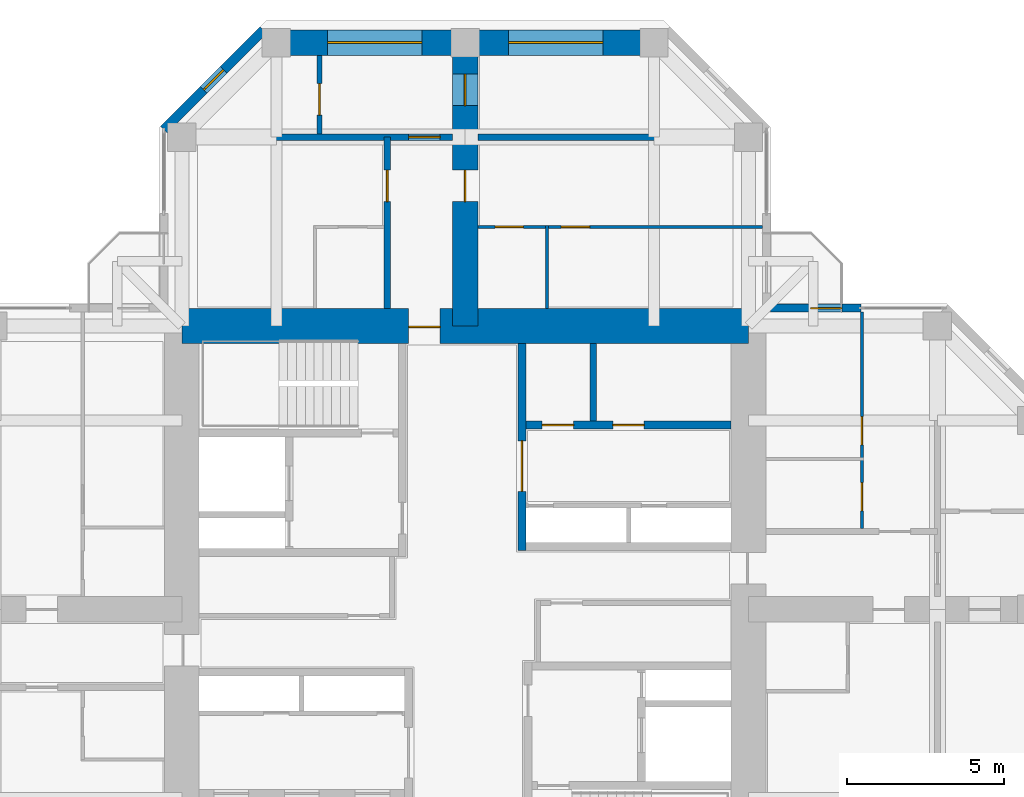
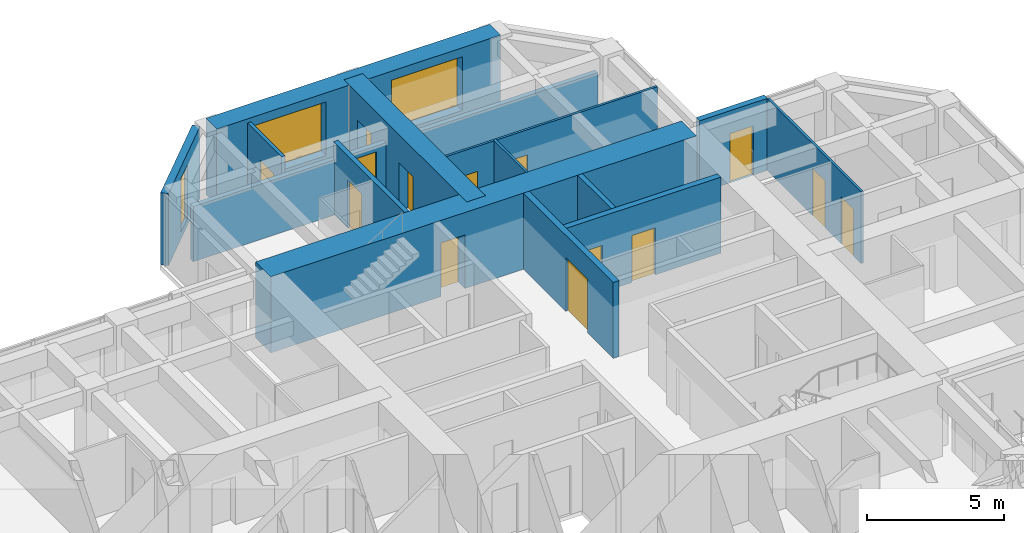
# One storey, part 12 of 14: 15 walls, 14 doors, 3 windows, 17 openings.
"""IFC4 building model written with IfcOpenShell, lengths in metres."""

from ifc_helpers import new_model, si_unit, direction, frame, frame_2d, origin, place, context, subcontext, project, spatial, rectangle, hollow_rectangle, extrude, material, layer, layer_set, constituent, constituent_set, type_object, element, fill, save


model = new_model("IFC4")

# Units and contexts
model_context = context("Model", 3, precision=1e-05, world=origin(), true_north=direction((0.0, 1.0)))
body_context = subcontext(model_context, "Body", "Model", "MODEL_VIEW")
ifc_project = project(units=[si_unit("LENGTHUNIT", "METRE"), si_unit("AREAUNIT", "SQUARE_METRE"), si_unit("VOLUMEUNIT", "CUBIC_METRE"), si_unit("PLANEANGLEUNIT", "RADIAN"), si_unit("MASSUNIT", "GRAM", prefix="KILO")], contexts=[model_context])

# Site, building, storey
site_placement = place(None, origin())
site = spatial("IfcSite", under=ifc_project, at=site_placement, CompositionType="ELEMENT")
building_placement = place(site_placement, origin())
building = spatial("IfcBuilding", under=site, at=building_placement, Name="Torre Cruceta", CompositionType="ELEMENT")
storey_placement = place(building_placement, frame((0.0, 0.0, 200.10009765625)))
storey = spatial("IfcBuildingStorey", under=building, at=storey_placement, Name="L50", CompositionType="ELEMENT", Elevation=200.10009765625)

# Wall
ifc_material_1 = material(Name="Water-resistant plasterboard on steel studs", Category="steel")
ifc_layer_1 = layer(ifc_material_1, 0.10009765625)
ifc_layer_set_1 = layer_set([ifc_layer_1], Name="Water-resistant plasterboard on steel studs")
wall_type_1 = type_object("IfcWallType", Name="BATHROOM WALL 100", PredefinedType="PARTITIONING", material=ifc_layer_set_1)
wall_1_placement = place(storey_placement, frame((2.60009765625, 9.550048828125, 0.0), z_axis=(0.0, 0.0, 1.0), x_axis=(0.0, 1.0, 0.0)))
element("IfcWall", 1, at=wall_1_placement, inside=storey, type_object=wall_type_1, Name="PT4 L50-N-U1RBB", PredefinedType="PARTITIONING", context=body_context, shape_type="SweptSolid", body=[
    extrude(rectangle(XDim=2.64990234375, YDim=0.10009765625, at=frame_2d((1.324951171875, 0.0))), origin(), (0.0, 0.0, 1.0), 3.219970703125),
])

# Wall, openings, doors
wall_2_placement = place(storey_placement, frame((9.445068359375, 12.14990234375, 0.0), z_axis=(0.0, 0.0, 1.0), x_axis=(-1.0, 0.0, 0.0)))
wall_2 = element("IfcWall", 2, at=wall_2_placement, inside=storey, type_object=wall_type_1, Name="PT4 L50-N-U1RBS", PredefinedType="PARTITIONING", context=body_context, shape_type="SweptSolid", body=[
    extrude(rectangle(XDim=9.045166015625, YDim=0.10009765625, at=frame_2d((4.5224609375, 0.0))), origin(), (0.0, 0.0, 1.0), 3.219970703125),
])
opening_1_placement = place(wall_2_placement, frame((5.4951171875, 0.0, 0.0)))
opening_1 = element("IfcOpeningElement", 3, at=opening_1_placement, cuts=wall_2, Name="Opening D7", PredefinedType="OPENING", context=body_context, shape_type="SweptSolid", body=[
    extrude(rectangle(XDim=0.89990234375, YDim=2.10009765625, at=frame_2d((0.449951171875, 1.050048828125))), frame((0.0, 0.06005859375, 0.0), z_axis=(0.0, -1.0, 0.0), x_axis=(1.0, 0.0, 0.0)), (0.0, 0.0, 1.0), 0.1201171875),
])
opening_2_placement = place(wall_2_placement, frame((7.594970703125, 0.0, 0.0)))
opening_2 = element("IfcOpeningElement", 4, at=opening_2_placement, cuts=wall_2, Name="Opening D7", PredefinedType="OPENING", context=body_context, shape_type="SweptSolid", body=[
    extrude(rectangle(XDim=0.89990234375, YDim=2.10009765625, at=frame_2d((0.449951171875, 1.050048828125))), frame((0.0, 0.06005859375, 0.0), z_axis=(0.0, -1.0, 0.0), x_axis=(1.0, 0.0, 0.0)), (0.0, 0.0, 1.0), 0.1201171875),
])
ifc_material_2 = material(Name="Timber door", Category="wood")
door_type_1 = type_object("IfcDoorType", Name="BATHROOM DOOR 900X2100", OperationType="SINGLE_SWING_LEFT", PredefinedType="DOOR", material=ifc_material_2)
door_1_placement = place(opening_1_placement, origin())
door_1 = element("IfcDoor", 5, at=door_1_placement, inside=storey, type_object=door_type_1, Name="D7 L50-N-U1RBS-D1", OperationType="SINGLE_SWING_RIGHT", OverallHeight=2.10009765625, OverallWidth=0.89990234375, PredefinedType="DOOR", context=body_context, shape_type="SweptSolid", body=[
    extrude(rectangle(XDim=0.89990234375, YDim=2.10009765625, at=frame_2d((0.449951171875, 1.050048828125))), frame((0.0, 0.02490234375, 0.0), z_axis=(0.0, -1.0, 0.0), x_axis=(1.0, 0.0, 0.0)), (0.0, 0.0, 1.0), 0.050048828125),
])
fill(opening_1, door_1)
door_2_placement = place(opening_2_placement, origin())
door_2 = element("IfcDoor", 6, at=door_2_placement, inside=storey, type_object=door_type_1, Name="D7 L50-N-U1RBS-D2", OperationType="SINGLE_SWING_RIGHT", OverallHeight=2.10009765625, OverallWidth=0.89990234375, PredefinedType="DOOR", context=body_context, shape_type="SweptSolid", body=[
    extrude(rectangle(XDim=0.89990234375, YDim=2.10009765625, at=frame_2d((0.449951171875, 1.050048828125))), frame((0.0, 0.02490234375, 0.0), z_axis=(0.0, -1.0, 0.0), x_axis=(1.0, 0.0, 0.0)), (0.0, 0.0, 1.0), 0.050048828125),
])
fill(opening_2, door_2)

wall_3_placement = place(storey_placement, frame((12.60009765625, 2.574951171875, 0.0), z_axis=(0.0, 0.0, 1.0), x_axis=(0.0, 1.0, 0.0)))
wall_3 = element("IfcWall", 7, at=wall_3_placement, inside=storey, type_object=wall_type_1, Name="PT4 L50-E-U1LBS", PredefinedType="PARTITIONING", context=body_context, shape_type="SweptSolid", body=[
    extrude(rectangle(XDim=6.8701171875, YDim=0.10009765625, at=frame_2d((3.43505859375, 0.0))), origin(), (0.0, 0.0, 1.0), 3.219970703125),
])
opening_3_placement = place(wall_3_placement, frame((0.550048828125, 0.0, 0.0)))
opening_3 = element("IfcOpeningElement", 8, at=opening_3_placement, cuts=wall_3, Name="Opening D7", PredefinedType="OPENING", context=body_context, shape_type="SweptSolid", body=[
    extrude(rectangle(XDim=0.89990234375, YDim=2.10009765625, at=frame_2d((0.449951171875, 1.050048828125))), frame((0.0, 0.06005859375, 0.0), z_axis=(0.0, -1.0, 0.0), x_axis=(1.0, 0.0, 0.0)), (0.0, 0.0, 1.0), 0.1201171875),
])
opening_4_placement = place(wall_3_placement, frame((2.64990234375, 0.0, 0.0)))
opening_4 = element("IfcOpeningElement", 9, at=opening_4_placement, cuts=wall_3, Name="Opening D7", PredefinedType="OPENING", context=body_context, shape_type="SweptSolid", body=[
    extrude(rectangle(XDim=0.89990234375, YDim=2.10009765625, at=frame_2d((0.449951171875, 1.050048828125))), frame((0.0, 0.06005859375, 0.0), z_axis=(0.0, -1.0, 0.0), x_axis=(1.0, 0.0, 0.0)), (0.0, 0.0, 1.0), 0.1201171875),
])
door_3_placement = place(opening_3_placement, origin())
door_3 = element("IfcDoor", 10, at=door_3_placement, inside=storey, type_object=door_type_1, Name="D7 L50-E-U1LBS-D1", OperationType="SINGLE_SWING_LEFT", OverallHeight=2.10009765625, OverallWidth=0.89990234375, PredefinedType="DOOR", context=body_context, shape_type="SweptSolid", body=[
    extrude(rectangle(XDim=0.89990234375, YDim=2.10009765625, at=frame_2d((0.449951171875, 1.050048828125))), frame((0.0, 0.02490234375, 0.0), z_axis=(0.0, -1.0, 0.0), x_axis=(1.0, 0.0, 0.0)), (0.0, 0.0, 1.0), 0.050048828125),
])
fill(opening_3, door_3)
door_4_placement = place(opening_4_placement, origin())
door_4 = element("IfcDoor", 11, at=door_4_placement, inside=storey, type_object=door_type_1, Name="D7 L50-E-U1LBS-D2", OperationType="SINGLE_SWING_LEFT", OverallHeight=2.10009765625, OverallWidth=0.89990234375, PredefinedType="DOOR", context=body_context, shape_type="SweptSolid", body=[
    extrude(rectangle(XDim=0.89990234375, YDim=2.10009765625, at=frame_2d((0.449951171875, 1.050048828125))), frame((0.0, 0.02490234375, 0.0), z_axis=(0.0, -1.0, 0.0), x_axis=(1.0, 0.0, 0.0)), (0.0, 0.0, 1.0), 0.050048828125),
])
fill(opening_4, door_4)

# Wall, opening, door
ifc_material_3 = material(Name="Concrete G60 (fck 60 MPa)", Category="concrete")
ifc_layer_2 = layer(ifc_material_3, 0.25)
ifc_layer_set_2 = layer_set([ifc_layer_2], Name="Concrete G60 (fck 60 MPa)")
wall_type_2 = type_object("IfcWallType", Name="CORE INNER WALL 250 G60", PredefinedType="SHEAR", material=ifc_layer_set_2)
wall_4_placement = place(storey_placement, frame((1.800048828125, 1.875, 0.0), z_axis=(0.0, 0.0, 1.0), x_axis=(0.0, 1.0, 0.0)))
wall_4 = element("IfcWall", 12, at=wall_4_placement, inside=storey, type_object=wall_type_2, Name="CW4 L50 NE-CU", PredefinedType="SHEAR", context=body_context, shape_type="SweptSolid", body=[
    extrude(rectangle(XDim=6.574951171875, YDim=0.25, at=frame_2d((3.28759765625, 0.0))), origin(), (0.0, 0.0, 1.0), 3.39990234375),
])
opening_5_placement = place(wall_4_placement, frame((1.875, 0.0, 0.0)))
opening_5 = element("IfcOpeningElement", 13, at=opening_5_placement, cuts=wall_4, Name="Opening D15", PredefinedType="OPENING", context=body_context, shape_type="SweptSolid", body=[
    extrude(rectangle(XDim=1.60009765625, YDim=2.39990234375, at=frame_2d((0.800048828125, 1.199951171875))), frame((0.0, 0.135009765625, 0.0), z_axis=(0.0, -1.0, 0.0), x_axis=(1.0, 0.0, 0.0)), (0.0, 0.0, 1.0), 0.27001953125),
])
ifc_material_4 = material(Name="Steel DX51D", Category="steel")
ifc_constituent_1 = constituent(ifc_material_4, Name="Leaf and frame")
ifc_material_5 = material(Name="Polyester powder coating", Category="paint")
ifc_constituent_2 = constituent(ifc_material_5, Name="Finish")
ifc_constituent_set_1 = constituent_set(constituents=[ifc_constituent_1, ifc_constituent_2], Name="Steel fire door")
door_type_2 = type_object("IfcDoorType", Name="CORE ROOM DOUBLE DOOR 1600X2400", OperationType="DOUBLE_DOOR_SINGLE_SWING", PredefinedType="DOOR", material=ifc_constituent_set_1)
door_5_placement = place(opening_5_placement, frame((1.60009765625, 0.0, 0.0), z_axis=(0.0, 0.0, 1.0), x_axis=(-1.0, 0.0, 0.0)))
door_5 = element("IfcDoor", 14, at=door_5_placement, inside=storey, type_object=door_type_2, Name="D15 L50 NE-LOBBY", OperationType="DOUBLE_DOOR_SINGLE_SWING", OverallHeight=2.39990234375, OverallWidth=1.60009765625, PredefinedType="DOOR", context=body_context, shape_type="SweptSolid", body=[
    extrude(rectangle(XDim=1.60009765625, YDim=2.39990234375, at=frame_2d((0.800048828125, 1.199951171875))), frame((0.0, 0.025146484375, 0.0), z_axis=(0.0, -1.0, 0.0), x_axis=(1.0, 0.0, 0.0)), (0.0, 0.0, 1.0), 0.050048828125),
])
fill(opening_5, door_5)

# Wall, openings, doors
wall_5_placement = place(storey_placement, frame((1.925048828125, 5.85009765625, 0.0), z_axis=(0.0, 0.0, 1.0), x_axis=(1.0, 0.0, 0.0)))
wall_5 = element("IfcWall", 15, at=wall_5_placement, inside=storey, type_object=wall_type_2, Name="CW4 L50 NE-LV", PredefinedType="SHEAR", context=body_context, shape_type="SweptSolid", body=[
    extrude(rectangle(XDim=6.52490234375, YDim=0.25, at=frame_2d((3.262451171875, 0.0))), origin(), (0.0, 0.0, 1.0), 3.39990234375),
])
opening_6_placement = place(wall_5_placement, frame((0.520751953125, 0.0, 0.0)))
opening_6 = element("IfcOpeningElement", 16, at=opening_6_placement, cuts=wall_5, Name="Opening D3", PredefinedType="OPENING", context=body_context, shape_type="SweptSolid", body=[
    extrude(rectangle(XDim=1.0, YDim=2.10009765625, at=frame_2d((0.5, 1.050048828125))), frame((0.0, 0.135009765625, 0.0), z_axis=(0.0, -1.0, 0.0), x_axis=(1.0, 0.0, 0.0)), (0.0, 0.0, 1.0), 0.27001953125),
])
opening_7_placement = place(wall_5_placement, frame((2.762451171875, 0.0, 0.0)))
opening_7 = element("IfcOpeningElement", 17, at=opening_7_placement, cuts=wall_5, Name="Opening D3", PredefinedType="OPENING", context=body_context, shape_type="SweptSolid", body=[
    extrude(rectangle(XDim=1.0, YDim=2.10009765625, at=frame_2d((0.5, 1.050048828125))), frame((0.0, 0.135009765625, 0.0), z_axis=(0.0, -1.0, 0.0), x_axis=(1.0, 0.0, 0.0)), (0.0, 0.0, 1.0), 0.27001953125),
])
ifc_material_6 = material(Name="Steel DX51D", Category="steel")
ifc_constituent_3 = constituent(ifc_material_6, Name="Leaf and frame")
ifc_material_7 = material(Name="Polyester powder coating", Category="paint")
ifc_constituent_4 = constituent(ifc_material_7, Name="Finish")
ifc_constituent_set_2 = constituent_set(constituents=[ifc_constituent_3, ifc_constituent_4], Name="Steel fire door")
door_type_3 = type_object("IfcDoorType", Name="FIRE DOOR 1000X2100", OperationType="SINGLE_SWING_LEFT", PredefinedType="DOOR", material=ifc_constituent_set_2)
door_6_placement = place(opening_6_placement, origin())
door_6 = element("IfcDoor", 18, at=door_6_placement, inside=storey, type_object=door_type_3, Name="D3 L50 NE-HR1", OperationType="SINGLE_SWING_LEFT", OverallHeight=2.10009765625, OverallWidth=1.0, PredefinedType="DOOR", context=body_context, shape_type="SweptSolid", body=[
    extrude(rectangle(XDim=1.0, YDim=2.10009765625, at=frame_2d((0.5, 1.050048828125))), frame((0.0, 0.02490234375, 0.0), z_axis=(0.0, -1.0, 0.0), x_axis=(1.0, 0.0, 0.0)), (0.0, 0.0, 1.0), 0.050048828125),
])
fill(opening_6, door_6)
door_7_placement = place(opening_7_placement, origin())
door_7 = element("IfcDoor", 19, at=door_7_placement, inside=storey, type_object=door_type_3, Name="D3 L50 NE-HR2", OperationType="SINGLE_SWING_LEFT", OverallHeight=2.10009765625, OverallWidth=1.0, PredefinedType="DOOR", context=body_context, shape_type="SweptSolid", body=[
    extrude(rectangle(XDim=1.0, YDim=2.10009765625, at=frame_2d((0.5, 1.050048828125))), frame((0.0, 0.02490234375, 0.0), z_axis=(0.0, -1.0, 0.0), x_axis=(1.0, 0.0, 0.0)), (0.0, 0.0, 1.0), 0.050048828125),
])
fill(opening_7, door_7)

# Wall, opening, door
ifc_material_8 = material(Name="Concrete G60 (fck 60 MPa)", Category="concrete")
ifc_layer_3 = layer(ifc_material_8, 1.10009765625)
ifc_layer_set_3 = layer_set([ifc_layer_3], Name="Concrete G60 (fck 60 MPa)")
wall_type_3 = type_object("IfcWallType", Name="CORE WALL 1100 G60", PredefinedType="SHEAR", material=ifc_layer_set_3)
wall_6_placement = place(storey_placement, frame((9.0, 9.0, 0.0), z_axis=(0.0, 0.0, 1.0), x_axis=(-1.0, 0.0, 0.0)))
wall_6 = element("IfcWall", 20, at=wall_6_placement, inside=storey, type_object=wall_type_3, Name="CW2 L50 CW-N", PredefinedType="SHEAR", context=body_context, shape_type="SweptSolid", body=[
    extrude(rectangle(XDim=18.0, YDim=1.10009765625, at=frame_2d((9.0, 0.0))), origin(), (0.0, 0.0, 1.0), 3.39990234375),
])
opening_8_placement = place(wall_6_placement, frame((9.800048828125, 0.0, 0.0)))
opening_8 = element("IfcOpeningElement", 21, at=opening_8_placement, cuts=wall_6, Name="Opening D4", PredefinedType="OPENING", context=body_context, shape_type="SweptSolid", body=[
    extrude(rectangle(XDim=1.0, YDim=2.39990234375, at=frame_2d((0.5, 1.199951171875))), frame((0.0, 0.56005859375, 0.0), z_axis=(0.0, -1.0, 0.0), x_axis=(1.0, 0.0, 0.0)), (0.0, 0.0, 1.0), 1.1201171875),
])
ifc_material_9 = material(Name="Steel DX51D", Category="steel")
ifc_constituent_5 = constituent(ifc_material_9, Name="Leaf and frame")
ifc_material_10 = material(Name="Polyester powder coating", Category="paint")
ifc_constituent_6 = constituent(ifc_material_10, Name="Finish")
ifc_constituent_set_3 = constituent_set(constituents=[ifc_constituent_5, ifc_constituent_6], Name="Steel fire door")
door_type_4 = type_object("IfcDoorType", Name="CORE ARM DOOR 1000X2400", OperationType="SINGLE_SWING_RIGHT", PredefinedType="DOOR", material=ifc_constituent_set_3)
door_8_placement = place(opening_8_placement, origin())
door_8 = element("IfcDoor", 22, at=door_8_placement, inside=storey, type_object=door_type_4, Name="D4 L50 CW-N", OperationType="SINGLE_SWING_RIGHT", OverallHeight=2.39990234375, OverallWidth=1.0, PredefinedType="DOOR", context=body_context, shape_type="SweptSolid", body=[
    extrude(rectangle(XDim=1.0, YDim=2.39990234375, at=frame_2d((0.5, 1.199951171875))), frame((0.0, 0.05517578125, 0.0), z_axis=(0.0, -1.0, 0.0), x_axis=(1.0, 0.0, 0.0)), (0.0, 0.0, 1.0), 0.050048828125),
])
fill(opening_8, door_8)

ifc_material_11 = material(Name="Concrete G25 (fck 25 MPa)", Category="concrete")
ifc_layer_4 = layer(ifc_material_11, 0.199951171875)
ifc_layer_set_4 = layer_set([ifc_layer_4], Name="Concrete G25 (fck 25 MPa)")
wall_type_4 = type_object("IfcWallType", Name="CORRIDOR WALL 200", PredefinedType="SOLIDWALL", material=ifc_layer_set_4)
wall_7_placement = place(storey_placement, frame((-2.47509765625, 9.550048828125, 0.0), z_axis=(0.0, 0.0, 1.0), x_axis=(0.0, 1.0, 0.0)))
wall_7 = element("IfcWall", 23, at=wall_7_placement, inside=storey, type_object=wall_type_4, Name="PT3 L50-N-CL", PredefinedType="SOLIDWALL", context=body_context, shape_type="SweptSolid", body=[
    extrude(rectangle(XDim=5.449951171875, YDim=0.199951171875, at=frame_2d((2.72509765625, 0.0))), origin(), (0.0, 0.0, 1.0), 3.219970703125),
])
opening_9_placement = place(wall_7_placement, frame((3.39990234375, 0.0, 0.0)))
opening_9 = element("IfcOpeningElement", 24, at=opening_9_placement, cuts=wall_7, Name="Opening D6", PredefinedType="OPENING", context=body_context, shape_type="SweptSolid", body=[
    extrude(rectangle(XDim=1.0, YDim=2.14990234375, at=frame_2d((0.5, 1.074951171875))), frame((0.0, 0.10986328125, 0.0), z_axis=(0.0, -1.0, 0.0), x_axis=(1.0, 0.0, 0.0)), (0.0, 0.0, 1.0), 0.219970703125),
])
ifc_material_12 = material(Name="Timber fire door", Category="wood")
door_type_5 = type_object("IfcDoorType", Name="UNIT ENTRANCE DOOR 1000X2150", OperationType="SINGLE_SWING_LEFT", PredefinedType="DOOR", material=ifc_material_12)
door_9_placement = place(opening_9_placement, origin())
door_9 = element("IfcDoor", 25, at=door_9_placement, inside=storey, type_object=door_type_5, Name="D6 L50-N-CL-D1", OperationType="SINGLE_SWING_LEFT", OverallHeight=2.14990234375, OverallWidth=1.0, PredefinedType="DOOR", context=body_context, shape_type="SweptSolid", body=[
    extrude(rectangle(XDim=1.0, YDim=2.14990234375, at=frame_2d((0.5, 1.074951171875))), frame((0.0, 0.02490234375, 0.0), z_axis=(0.0, -1.0, 0.0), x_axis=(1.0, 0.0, 0.0)), (0.0, 0.0, 1.0), 0.050048828125),
])
fill(opening_9, door_9)

# Wall, opening, window
ifc_material_13 = material(Name="Concrete G30 (fck 30 MPa)", Category="concrete")
ifc_layer_5 = layer(ifc_material_13, 0.300048828125)
ifc_layer_set_5 = layer_set([ifc_layer_5], Name="Concrete G30 (fck 30 MPa)")
wall_type_5 = type_object("IfcWallType", Name="EXPOSED CONCRETE FACADE WALL 300", PredefinedType="SOLIDWALL", material=ifc_layer_set_5)
wall_8_placement = place(storey_placement, frame((-6.406005859375, 18.39990234375, 0.0), z_axis=(0.0, 0.0, 1.0), x_axis=(-0.707134062067, -0.707079499254, 0.0)))
wall_8 = element("IfcWall", 26, at=wall_8_placement, inside=storey, type_object=wall_type_5, Name="EW1 facade wall L50 N chamfer 08", PredefinedType="SOLIDWALL", context=body_context, shape_type="SweptSolid", body=[
    extrude(rectangle(XDim=4.474609375, YDim=0.300048828125, at=frame_2d((2.2373046875, 0.0))), origin(), (0.0, 0.0, 1.0), 3.219970703125),
])
opening_10_placement = place(wall_8_placement, frame((1.787109375, 0.0, 0.300048828125)))
opening_10 = element("IfcOpeningElement", 27, at=opening_10_placement, cuts=wall_8, Name="Opening WN5", PredefinedType="OPENING", context=body_context, shape_type="SweptSolid", body=[
    extrude(rectangle(XDim=0.89990234375, YDim=2.39990234375, at=frame_2d((0.449951171875, 1.199951171875))), frame((0.0, 0.159912109375, 0.0), z_axis=(0.0, -1.0, 0.0), x_axis=(1.0, 0.0, 0.0)), (0.0, 0.0, 1.0), 0.320068359375),
])
ifc_material_14 = material(Name="Aluminium window frame", Category="aluminium")
ifc_constituent_7 = constituent(ifc_material_14, Name="Frame")
ifc_material_15 = material(Name="Laminated insulating glass unit, low-iron clear", Category="glass")
ifc_constituent_8 = constituent(ifc_material_15, Name="Glazing")
ifc_constituent_set_4 = constituent_set(constituents=[ifc_constituent_7, ifc_constituent_8], Name="Aluminium window")
window_type_1 = type_object("IfcWindowType", Name="CHAMFER SLOT WINDOW 900X2400", PartitioningType="SINGLE_PANEL", PredefinedType="WINDOW", material=ifc_constituent_set_4)
window_1_placement = place(opening_10_placement, origin())
window_1 = element("IfcWindow", 28, at=window_1_placement, inside=storey, type_object=window_type_1, Name="WN5 L50 N 1", OverallHeight=2.39990234375, OverallWidth=0.89990234375, PartitioningType="SINGLE_PANEL", PredefinedType="WINDOW", context=body_context, shape_type="SweptSolid", body=[
    extrude(hollow_rectangle(XDim=0.89990234375, YDim=2.39990234375, WallThickness=0.06005859375, at=frame_2d((0.449951171875, 1.199951171875))), frame((0.0, 0.030029296875, 0.0), z_axis=(0.0, -1.0, 0.0), x_axis=(1.0, 0.0, 0.0)), (0.0, 0.0, 1.0), 0.06005859375),
    extrude(rectangle(XDim=0.77880859375, YDim=2.27880859375, at=frame_2d((0.449951171875, 1.199951171875))), frame((0.0, 0.030029296875, 0.0), z_axis=(0.0, -1.0, 0.0), x_axis=(1.0, 0.0, 0.0)), (0.0, 0.0, 1.0), 0.06005859375),
])
fill(opening_10, window_1)

# Wall
ifc_material_16 = material(Name="Concrete G35 (fck 35 MPa)", Category="concrete")
ifc_layer_6 = layer(ifc_material_16, 0.199951171875)
ifc_layer_set_6 = layer_set([ifc_layer_6], Name="Concrete G35 (fck 35 MPa)")
wall_type_6 = type_object("IfcWallType", Name="LIFT SHAFT WALL 200", PredefinedType="PARTITIONING", material=ifc_layer_set_6)
wall_9_placement = place(storey_placement, frame((4.066650390625, 5.97509765625, 0.0), z_axis=(0.0, 0.0, 1.0), x_axis=(0.0, 1.0, 0.0)))
element("IfcWall", 29, at=wall_9_placement, inside=storey, type_object=wall_type_6, Name="SW1 L50 NE-LS1", PredefinedType="PARTITIONING", context=body_context, shape_type="SweptSolid", body=[
    extrude(rectangle(XDim=2.474853515625, YDim=0.199951171875, at=frame_2d((1.2373046875, 0.0))), origin(), (0.0, 0.0, 1.0), 3.39990234375),
])

# Wall, openings, windows
ifc_material_17 = material(Name="Concrete G60 (fck 60 MPa)", Category="concrete")
ifc_layer_7 = layer(ifc_material_17, 0.800048828125)
ifc_layer_set_7 = layer_set([ifc_layer_7], Name="Concrete G60 (fck 60 MPa)")
wall_type_7 = type_object("IfcWallType", Name="NOSE WALL 800 G60", PredefinedType="SHEAR", material=ifc_layer_set_7)
wall_10_placement = place(storey_placement, frame((6.0, 18.0, 0.0), z_axis=(0.0, 0.0, 1.0), x_axis=(-1.0, 0.0, 0.0)))
wall_10 = element("IfcWall", 30, at=wall_10_placement, inside=storey, type_object=wall_type_7, Name="NW2 nose wall L50 N", PredefinedType="SHEAR", context=body_context, shape_type="SweptSolid", body=[
    extrude(rectangle(XDim=12.0, YDim=0.800048828125, at=frame_2d((6.0, 0.0))), origin(), (0.0, 0.0, 1.0), 3.39990234375),
])
opening_11_placement = place(wall_10_placement, frame((1.625, 0.0, 0.60009765625)))
opening_11 = element("IfcOpeningElement", 31, at=opening_11_placement, cuts=wall_10, Name="Opening WN6", PredefinedType="OPENING", context=body_context, shape_type="SweptSolid", body=[
    extrude(rectangle(XDim=3.0, YDim=2.39990234375, at=frame_2d((1.5, 1.199951171875))), frame((0.0, 0.409912109375, 0.0), z_axis=(0.0, -1.0, 0.0), x_axis=(1.0, 0.0, 0.0)), (0.0, 0.0, 1.0), 0.820068359375),
])
opening_12_placement = place(wall_10_placement, frame((7.375, 0.0, 0.60009765625)))
opening_12 = element("IfcOpeningElement", 32, at=opening_12_placement, cuts=wall_10, Name="Opening WN6", PredefinedType="OPENING", context=body_context, shape_type="SweptSolid", body=[
    extrude(rectangle(XDim=3.0, YDim=2.39990234375, at=frame_2d((1.5, 1.199951171875))), frame((0.0, 0.409912109375, 0.0), z_axis=(0.0, -1.0, 0.0), x_axis=(1.0, 0.0, 0.0)), (0.0, 0.0, 1.0), 0.820068359375),
])
ifc_material_18 = material(Name="Aluminium window frame", Category="aluminium")
ifc_constituent_9 = constituent(ifc_material_18, Name="Frame")
ifc_material_19 = material(Name="Laminated insulating glass unit, low-iron clear", Category="glass")
ifc_constituent_10 = constituent(ifc_material_19, Name="Glazing")
ifc_constituent_set_5 = constituent_set(constituents=[ifc_constituent_9, ifc_constituent_10], Name="Aluminium window")
window_type_2 = type_object("IfcWindowType", Name="NOSE WALL WINDOW 3000X2400", PartitioningType="SINGLE_PANEL", PredefinedType="WINDOW", material=ifc_constituent_set_5)
window_2_placement = place(opening_11_placement, origin())
window_2 = element("IfcWindow", 33, at=window_2_placement, inside=storey, type_object=window_type_2, Name="WN6 L50 N 1", OverallHeight=2.39990234375, OverallWidth=3.0, PartitioningType="SINGLE_PANEL", PredefinedType="WINDOW", context=body_context, shape_type="SweptSolid", body=[
    extrude(hollow_rectangle(XDim=3.0, YDim=2.39990234375, WallThickness=0.06005859375, at=frame_2d((1.5, 1.199951171875))), frame((0.0, 0.030029296875, 0.0), z_axis=(0.0, -1.0, 0.0), x_axis=(1.0, 0.0, 0.0)), (0.0, 0.0, 1.0), 0.06005859375),
    extrude(rectangle(XDim=2.87890625, YDim=2.27880859375, at=frame_2d((1.5, 1.199951171875))), frame((0.0, 0.030029296875, 0.0), z_axis=(0.0, -1.0, 0.0), x_axis=(1.0, 0.0, 0.0)), (0.0, 0.0, 1.0), 0.06005859375),
])
fill(opening_11, window_2)
window_3_placement = place(opening_12_placement, origin())
window_3 = element("IfcWindow", 34, at=window_3_placement, inside=storey, type_object=window_type_2, Name="WN6 L50 N 2", OverallHeight=2.39990234375, OverallWidth=3.0, PartitioningType="SINGLE_PANEL", PredefinedType="WINDOW", context=body_context, shape_type="SweptSolid", body=[
    extrude(hollow_rectangle(XDim=3.0, YDim=2.39990234375, WallThickness=0.06005859375, at=frame_2d((1.5, 1.199951171875))), frame((0.0, 0.030029296875, 0.0), z_axis=(0.0, -1.0, 0.0), x_axis=(1.0, 0.0, 0.0)), (0.0, 0.0, 1.0), 0.06005859375),
    extrude(rectangle(XDim=2.87890625, YDim=2.27880859375, at=frame_2d((1.5, 1.199951171875))), frame((0.0, 0.030029296875, 0.0), z_axis=(0.0, -1.0, 0.0), x_axis=(1.0, 0.0, 0.0)), (0.0, 0.0, 1.0), 0.06005859375),
])
fill(opening_12, window_3)

# Wall, opening, door
ifc_material_20 = material(Name="Plasterboard on steel studs", Category="steel")
ifc_layer_8 = layer(ifc_material_20, 0.14990234375)
ifc_layer_set_8 = layer_set([ifc_layer_8], Name="Plasterboard on steel studs")
wall_type_8 = type_object("IfcWallType", Name="PARTITION 150", PredefinedType="PARTITIONING", material=ifc_layer_set_8)
wall_11_placement = place(storey_placement, frame((-4.625, 15.10009765625, 0.0), z_axis=(0.0, 0.0, 1.0), x_axis=(0.0, 1.0, 0.0)))
wall_11 = element("IfcWall", 35, at=wall_11_placement, inside=storey, type_object=wall_type_8, Name="PT1 L50-N-ENDX", PredefinedType="PARTITIONING", context=body_context, shape_type="SweptSolid", body=[
    extrude(rectangle(XDim=2.5, YDim=0.14990234375, at=frame_2d((1.25, 0.0))), origin(), (0.0, 0.0, 1.0), 3.219970703125),
])
opening_13_placement = place(wall_11_placement, frame((0.60009765625, 0.0, 0.0)))
opening_13 = element("IfcOpeningElement", 36, at=opening_13_placement, cuts=wall_11, Name="Opening D3", PredefinedType="OPENING", context=body_context, shape_type="SweptSolid", body=[
    extrude(rectangle(XDim=1.0, YDim=2.10009765625, at=frame_2d((0.5, 1.050048828125))), frame((0.0, 0.0849609375, 0.0), z_axis=(0.0, -1.0, 0.0), x_axis=(1.0, 0.0, 0.0)), (0.0, 0.0, 1.0), 0.169921875),
])
door_10_placement = place(opening_13_placement, origin())
door_10 = element("IfcDoor", 37, at=door_10_placement, inside=storey, type_object=door_type_3, Name="D3 L50-N-ENDX-D1", OperationType="SINGLE_SWING_LEFT", OverallHeight=2.10009765625, OverallWidth=1.0, PredefinedType="DOOR", context=body_context, shape_type="SweptSolid", body=[
    extrude(rectangle(XDim=1.0, YDim=2.10009765625, at=frame_2d((0.5, 1.050048828125))), frame((0.0, 0.02490234375, 0.0), z_axis=(0.0, -1.0, 0.0), x_axis=(1.0, 0.0, 0.0)), (0.0, 0.0, 1.0), 0.050048828125),
])
fill(opening_13, door_10)

# Wall, openings, doors
ifc_material_21 = material(Name="Concrete G60 (fck 60 MPa)", Category="concrete")
ifc_layer_9 = layer(ifc_material_21, 0.800048828125)
ifc_layer_set_9 = layer_set([ifc_layer_9], Name="Concrete G60 (fck 60 MPa)")
wall_type_9 = type_object("IfcWallType", Name="SPINE WALL 800 G60", PredefinedType="SHEAR", material=ifc_layer_set_9)
wall_12_placement = place(storey_placement, frame((0.0, 9.0, 0.0), z_axis=(0.0, 0.0, 1.0), x_axis=(0.0, 1.0, 0.0)))
wall_12 = element("IfcWall", 38, at=wall_12_placement, inside=storey, type_object=wall_type_9, Name="SW4 spine wall L50 N", PredefinedType="SHEAR", context=body_context, shape_type="SweptSolid", body=[
    extrude(rectangle(XDim=9.0, YDim=0.800048828125, at=frame_2d((4.5, 0.0))), origin(), (0.0, 0.0, 1.0), 3.39990234375),
])
opening_14_placement = place(wall_12_placement, frame((3.949951171875, 0.0, 0.0)))
opening_14 = element("IfcOpeningElement", 39, at=opening_14_placement, cuts=wall_12, Name="Opening D6", PredefinedType="OPENING", context=body_context, shape_type="SweptSolid", body=[
    extrude(rectangle(XDim=1.0, YDim=2.14990234375, at=frame_2d((0.5, 1.074951171875))), frame((0.0, 0.409912109375, 0.0), z_axis=(0.0, -1.0, 0.0), x_axis=(1.0, 0.0, 0.0)), (0.0, 0.0, 1.0), 0.820068359375),
])
opening_15_placement = place(wall_12_placement, frame((7.0, 0.0, 0.0)))
opening_15 = element("IfcOpeningElement", 40, at=opening_15_placement, cuts=wall_12, Name="Opening D14", PredefinedType="OPENING", context=body_context, shape_type="SweptSolid", body=[
    extrude(rectangle(XDim=1.0, YDim=2.199951171875, at=frame_2d((0.5, 1.10009765625))), frame((0.0, 0.409912109375, 0.0), z_axis=(0.0, -1.0, 0.0), x_axis=(1.0, 0.0, 0.0)), (0.0, 0.0, 1.0), 0.820068359375),
])
ifc_material_22 = material(Name="Steel DX51D", Category="steel")
ifc_constituent_11 = constituent(ifc_material_22, Name="Leaf and frame")
ifc_material_23 = material(Name="Polyester powder coating", Category="paint")
ifc_constituent_12 = constituent(ifc_material_23, Name="Finish")
ifc_material_24 = material(Name="Fire-resisting glass", Category="glass")
ifc_constituent_13 = constituent(ifc_material_24, Name="Vision panel")
ifc_constituent_set_6 = constituent_set(constituents=[ifc_constituent_11, ifc_constituent_12, ifc_constituent_13], Name="Steel fire door with vision panel")
door_type_6 = type_object("IfcDoorType", Name="FIRE DOOR VISION PANEL 1000X2200", OperationType="SINGLE_SWING_RIGHT", PredefinedType="DOOR", material=ifc_constituent_set_6)
door_11_placement = place(opening_15_placement, origin())
door_11 = element("IfcDoor", 41, at=door_11_placement, inside=storey, type_object=door_type_6, Name="D14 L50-N-SP2", OperationType="SINGLE_SWING_RIGHT", OverallHeight=2.199951171875, OverallWidth=1.0, PredefinedType="DOOR", context=body_context, shape_type="SweptSolid", body=[
    extrude(rectangle(XDim=1.0, YDim=2.199951171875, at=frame_2d((0.5, 1.10009765625))), frame((0.0, 0.02490234375, 0.0), z_axis=(0.0, -1.0, 0.0), x_axis=(1.0, 0.0, 0.0)), (0.0, 0.0, 1.0), 0.050048828125),
])
fill(opening_15, door_11)
door_12_placement = place(opening_14_placement, frame((1.0, 0.0, 0.0), z_axis=(0.0, 0.0, 1.0), x_axis=(-1.0, 0.0, 0.0)))
door_12 = element("IfcDoor", 42, at=door_12_placement, inside=storey, type_object=door_type_5, Name="D6 L50-N-SP1", OperationType="SINGLE_SWING_RIGHT", OverallHeight=2.14990234375, OverallWidth=1.0, PredefinedType="DOOR", context=body_context, shape_type="SweptSolid", body=[
    extrude(rectangle(XDim=1.0, YDim=2.14990234375, at=frame_2d((0.5, 1.074951171875))), frame((0.0, 0.025146484375, 0.0), z_axis=(0.0, -1.0, 0.0), x_axis=(1.0, 0.0, 0.0)), (0.0, 0.0, 1.0), 0.050048828125),
])
fill(opening_14, door_12)

# Wall
ifc_material_25 = material(Name="Concrete G25 (fck 25 MPa)", Category="concrete")
ifc_layer_10 = layer(ifc_material_25, 0.199951171875)
ifc_layer_set_10 = layer_set([ifc_layer_10], Name="Concrete G25 (fck 25 MPa)")
wall_type_10 = type_object("IfcWallType", Name="UNIT SEPARATING WALL 200", PredefinedType="SOLIDWALL", material=ifc_layer_set_10)
wall_13_placement = place(storey_placement, frame((8.550048828125, 15.0, 0.0), z_axis=(0.0, 0.0, 1.0), x_axis=(-1.0, 0.0, 0.0)))
element("IfcWall", 43, at=wall_13_placement, inside=storey, type_object=wall_type_10, Name="PT2 L50-N-ENDa", PredefinedType="SOLIDWALL", context=body_context, shape_type="SweptSolid", body=[
    extrude(rectangle(XDim=8.150146484375, YDim=0.199951171875, at=frame_2d((4.0751953125, 0.0))), origin(), (0.0, 0.0, 1.0), 2.469970703125),
])

# Wall, opening, door
wall_14_placement = place(storey_placement, frame((-0.39990234375, 15.0, 0.0), z_axis=(0.0, 0.0, 1.0), x_axis=(-1.0, 0.0, 0.0)))
wall_14 = element("IfcWall", 44, at=wall_14_placement, inside=storey, type_object=wall_type_10, Name="PT2 L50-N-ENDb", PredefinedType="SOLIDWALL", context=body_context, shape_type="SweptSolid", body=[
    extrude(rectangle(XDim=8.150146484375, YDim=0.199951171875, at=frame_2d((4.0751953125, 0.0))), origin(), (0.0, 0.0, 1.0), 2.469970703125),
])
opening_16_placement = place(wall_14_placement, frame((0.39990234375, 0.0, 0.0)))
opening_16 = element("IfcOpeningElement", 45, at=opening_16_placement, cuts=wall_14, Name="Opening D14", PredefinedType="OPENING", context=body_context, shape_type="SweptSolid", body=[
    extrude(rectangle(XDim=1.0, YDim=2.199951171875, at=frame_2d((0.5, 1.10009765625))), frame((0.0, 0.10986328125, 0.0), z_axis=(0.0, -1.0, 0.0), x_axis=(1.0, 0.0, 0.0)), (0.0, 0.0, 1.0), 0.219970703125),
])
door_13_placement = place(opening_16_placement, frame((1.0, 0.0, 0.0), z_axis=(0.0, 0.0, 1.0), x_axis=(-1.0, 0.0, 0.0)))
door_13 = element("IfcDoor", 46, at=door_13_placement, inside=storey, type_object=door_type_6, Name="D14 L50-N-ENDb-D1", OperationType="SINGLE_SWING_RIGHT", OverallHeight=2.199951171875, OverallWidth=1.0, PredefinedType="DOOR", context=body_context, shape_type="SweptSolid", body=[
    extrude(rectangle(XDim=1.0, YDim=2.199951171875, at=frame_2d((0.5, 1.10009765625))), frame((0.0, 0.025146484375, 0.0), z_axis=(0.0, -1.0, 0.0), x_axis=(1.0, 0.0, 0.0)), (0.0, 0.0, 1.0), 0.050048828125),
])
fill(opening_16, door_13)

ifc_material_26 = material(Name="Concrete G30 (fck 30 MPa)", Category="concrete")
ifc_layer_11 = layer(ifc_material_26, 0.25)
ifc_layer_set_11 = layer_set([ifc_layer_11], Name="Concrete G30 (fck 30 MPa)")
wall_type_11 = type_object("IfcWallType", Name="WINTER GARDEN WALL 250", PredefinedType="SOLIDWALL", material=ifc_layer_set_11)
wall_15_placement = place(storey_placement, frame((12.570068359375, 9.570068359375, 0.0), z_axis=(0.0, 0.0, 1.0), x_axis=(-1.0, 0.0, 0.0)))
wall_15 = element("IfcWall", 47, at=wall_15_placement, inside=storey, type_object=wall_type_11, Name="EW2 winter garden wall L50 04", PredefinedType="SOLIDWALL", context=body_context, shape_type="SweptSolid", body=[
    extrude(rectangle(XDim=2.875, YDim=0.25, at=frame_2d((1.4375, 0.0))), origin(), (0.0, 0.0, 1.0), 3.219970703125),
])
opening_17_placement = place(wall_15_placement, frame((0.60009765625, 0.0, 0.0)))
opening_17 = element("IfcOpeningElement", 48, at=opening_17_placement, cuts=wall_15, Name="Opening D10", PredefinedType="OPENING", context=body_context, shape_type="SweptSolid", body=[
    extrude(rectangle(XDim=1.0, YDim=2.199951171875, at=frame_2d((0.5, 1.10009765625))), frame((0.0, 0.135009765625, 0.0), z_axis=(0.0, -1.0, 0.0), x_axis=(1.0, 0.0, 0.0)), (0.0, 0.0, 1.0), 0.27001953125),
])
ifc_material_27 = material(Name="Aluminium door frame", Category="aluminium")
ifc_constituent_14 = constituent(ifc_material_27, Name="Frame")
ifc_material_28 = material(Name="Laminated safety glass", Category="glass")
ifc_constituent_15 = constituent(ifc_material_28, Name="Glazing")
ifc_constituent_set_7 = constituent_set(constituents=[ifc_constituent_14, ifc_constituent_15], Name="Aluminium glazed door")
door_type_7 = type_object("IfcDoorType", Name="BALCONY DOOR 1000X2200", OperationType="SINGLE_SWING_RIGHT", PredefinedType="DOOR", material=ifc_constituent_set_7)
door_14_placement = place(opening_17_placement, origin())
door_14 = element("IfcDoor", 49, at=door_14_placement, inside=storey, type_object=door_type_7, Name="D10 balcony door L50 04", OperationType="SINGLE_SWING_LEFT", OverallHeight=2.199951171875, OverallWidth=1.0, PredefinedType="DOOR", context=body_context, shape_type="SweptSolid", body=[
    extrude(hollow_rectangle(XDim=1.0, YDim=2.199951171875, WallThickness=0.06005859375, at=frame_2d((0.5, 1.10009765625))), frame((0.0, 0.02490234375, 0.0), z_axis=(0.0, -1.0, 0.0), x_axis=(1.0, 0.0, 0.0)), (0.0, 0.0, 1.0), 0.050048828125),
    extrude(rectangle(XDim=0.87890625, YDim=2.078857421875, at=frame_2d((0.5, 1.10009765625))), frame((0.0, 0.02490234375, 0.0), z_axis=(0.0, -1.0, 0.0), x_axis=(1.0, 0.0, 0.0)), (0.0, 0.0, 1.0), 0.050048828125),
])
fill(opening_17, door_14)

save(model, "model.ifc")
